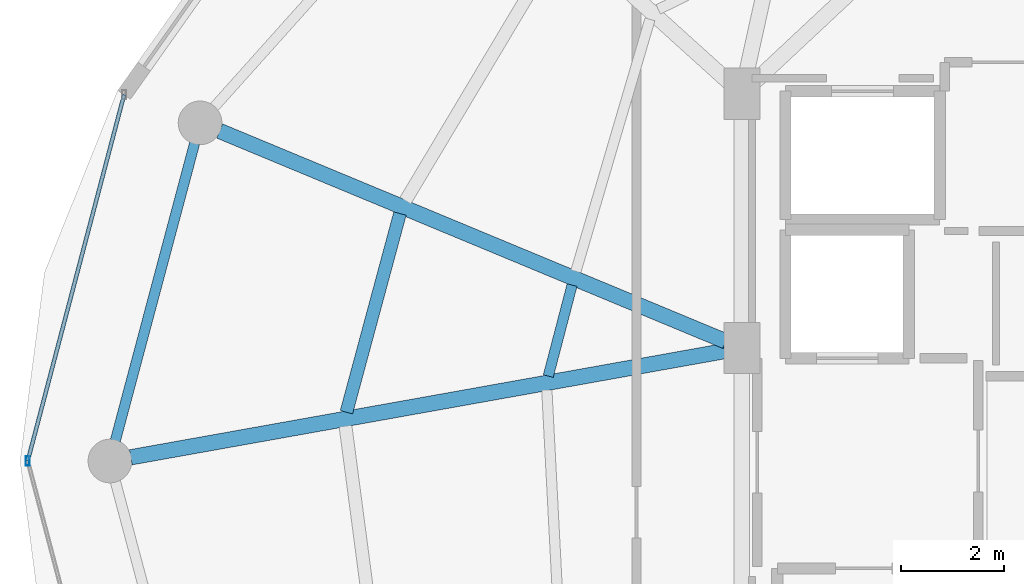
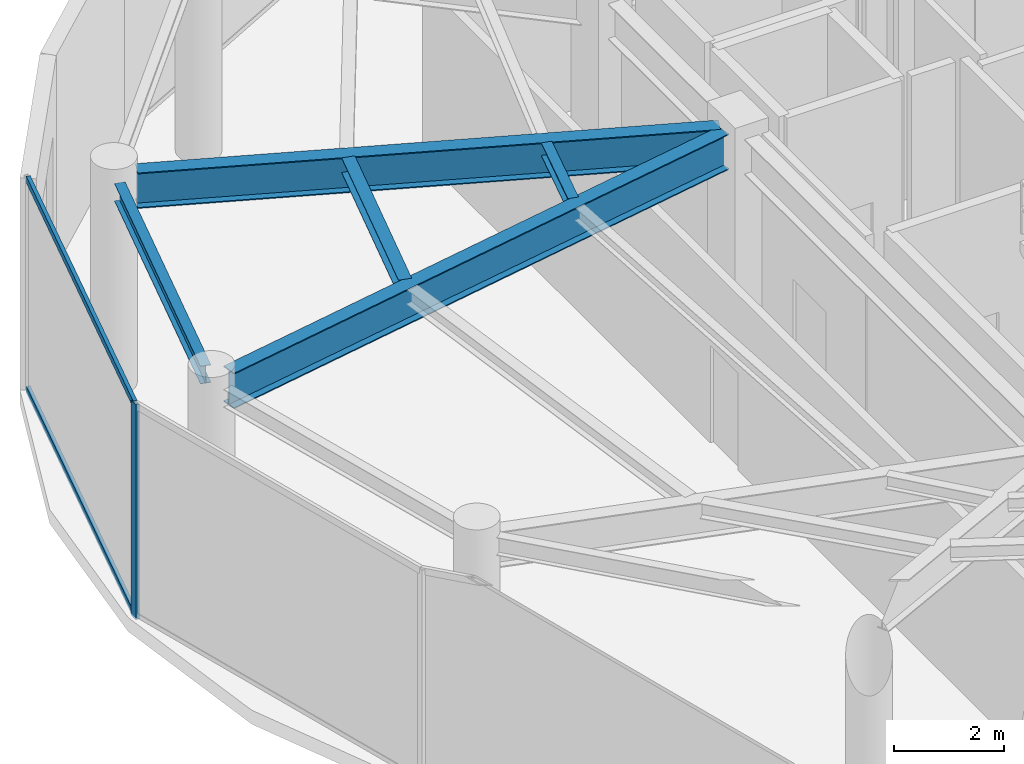
# One storey, part 7 of 24: 5 beams, 3 members, 1 element without a shape of its own.
"""IFC4 building model written with IfcOpenShell, lengths in metres."""

from ifc_helpers import new_model, si_unit, direction, frame, origin, origin_2d, place, context, subcontext, project, spatial, hollow_rectangle, i_section, extrude, material, material_profile, profile_set, type_object, element, aggregate, save


model = new_model("IFC4")

# Units and contexts
model_context = context("Model", 3, precision=1e-05, world=origin(), true_north=direction((0.0, 1.0)))
body_context = subcontext(model_context, "Body", "Model", "MODEL_VIEW")
ifc_project = project(units=[si_unit("LENGTHUNIT", "METRE"), si_unit("AREAUNIT", "SQUARE_METRE"), si_unit("VOLUMEUNIT", "CUBIC_METRE"), si_unit("PLANEANGLEUNIT", "RADIAN"), si_unit("MASSUNIT", "GRAM", prefix="KILO")], contexts=[model_context])

# Site, building, storey
site_placement = place(None, origin())
site = spatial("IfcSite", under=ifc_project, at=site_placement, CompositionType="ELEMENT")
building_placement = place(site_placement, origin())
building = spatial("IfcBuilding", under=site, at=building_placement, Name="Vorneva Point Tower", CompositionType="ELEMENT")
storey_placement = place(building_placement, frame((0.0, 0.0, 285.39990234375)))
storey = spatial("IfcBuildingStorey", under=building, at=storey_placement, Name="L77", CompositionType="ELEMENT", Elevation=285.39990234375)

# Beams
ifc_material_1 = material(Name="Steel S355", Category="steel")
ifc_material_profile_1 = material_profile(ifc_material_1, i_section(OverallWidth=0.300048828125, OverallDepth=0.7880859375, WebThickness=0.014404296875, FlangeThickness=0.02197265625, at=origin_2d()), Name="80Sh1")
ifc_profile_set_1 = profile_set([ifc_material_profile_1], Name="Steel S355")
beam_type_1 = type_object("IfcBeamType", Name="BM-GRD-80Sh1", PredefinedType="USERDEFINED", material=ifc_profile_set_1)
beam_1_placement = place(storey_placement, frame((17.0859375, 32.423583984375, 4.296142578125), z_axis=(0.923448932068, -0.383721344027, 0.0), x_axis=(0.383721344027, 0.923448932068, 0.0)))
element("IfcBeam", 1, at=beam_1_placement, inside=storey, type_object=beam_type_1, Name="L77 Radial Primary Girder 08", ObjectType="GIRDER", PredefinedType="USERDEFINED", context=body_context, shape_type="SweptSolid", body=[
    extrude(i_section(OverallWidth=0.300048828125, OverallDepth=0.7880859375, WebThickness=0.014404296875, FlangeThickness=0.02197265625, at=origin_2d()), origin(), (0.0, 0.0, 1.0), 10.666748046875),
])
beam_2_placement = place(storey_placement, frame((15.3564453125, 26.07275390625, 4.296142578125), z_axis=(0.9843788355, 0.17606336422, 0.0), x_axis=(-0.17606336422, 0.9843788355, 0.0)))
element("IfcBeam", 2, at=beam_2_placement, inside=storey, type_object=beam_type_1, Name="L77 Radial Primary Girder 09", ObjectType="GIRDER", PredefinedType="USERDEFINED", context=body_context, shape_type="SweptSolid", body=[
    extrude(i_section(OverallWidth=0.300048828125, OverallDepth=0.7880859375, WebThickness=0.014404296875, FlangeThickness=0.02197265625, at=origin_2d()), origin(), (0.0, 0.0, 1.0), 11.7421875),
])
ifc_material_profile_2 = material_profile(ifc_material_1, i_section(OverallWidth=0.199951171875, OverallDepth=0.291015625, WebThickness=0.008056640625, FlangeThickness=0.010986328125, at=origin_2d()), Name="30Sh1")
ifc_profile_set_2 = profile_set([ifc_material_profile_2], Name="Steel S355")
beam_type_2 = type_object("IfcBeamType", Name="BM-SEC-30Sh1", PredefinedType="BEAM", material=ifc_profile_set_2)
beam_3_placement = place(storey_placement, frame((23.946044921875, 29.425048828125, 4.544677734375), z_axis=(-0.253029664065, -0.967458520611, 0.0), x_axis=(0.967458520611, -0.253029664065, 0.0)))
element("IfcBeam", 3, at=beam_3_placement, inside=storey, type_object=beam_type_2, Name="L77 Secondary Floor Beam 2.08", PredefinedType="BEAM", context=body_context, shape_type="SweptSolid", body=[
    extrude(i_section(OverallWidth=0.199951171875, OverallDepth=0.291015625, WebThickness=0.008056640625, FlangeThickness=0.010986328125, at=origin_2d()), origin(), (0.0, 0.0, 1.0), 1.831298828125),
])
ifc_material_profile_3 = material_profile(ifc_material_1, i_section(OverallWidth=0.2490234375, OverallDepth=0.333984375, WebThickness=0.008056640625, FlangeThickness=0.010986328125, at=origin_2d()), Name="35Sh1")
ifc_profile_set_3 = profile_set([ifc_material_profile_3], Name="Steel S355")
beam_type_3 = type_object("IfcBeamType", Name="BM-SEC-35Sh1", PredefinedType="BEAM", material=ifc_profile_set_3)
beam_4_placement = place(storey_placement, frame((20.59619140625, 30.81689453125, 4.523193359375), z_axis=(-0.260310139159, -0.965525054802, 0.0), x_axis=(0.965525054802, -0.260310139159, 0.0)))
element("IfcBeam", 4, at=beam_4_placement, inside=storey, type_object=beam_type_3, Name="L77 Secondary Floor Beam 1.08", PredefinedType="BEAM", context=body_context, shape_type="SweptSolid", body=[
    extrude(i_section(OverallWidth=0.2490234375, OverallDepth=0.333984375, WebThickness=0.008056640625, FlangeThickness=0.010986328125, at=origin_2d()), origin(), (0.0, 0.0, 1.0), 4.0048828125),
])
ifc_material_profile_4 = material_profile(ifc_material_1, i_section(OverallWidth=0.198974609375, OverallDepth=0.39599609375, WebThickness=0.007080078125, FlangeThickness=0.010986328125, at=origin_2d()), Name="40B1")
ifc_profile_set_4 = profile_set([ifc_material_profile_4], Name="Steel S355")
beam_type_4 = type_object("IfcBeamType", Name="BM-SPN-40B1", PredefinedType="SPANDREL", material=ifc_profile_set_4)
beam_5_placement = place(storey_placement, frame((16.59912109375, 32.18603515625, 4.4921875), z_axis=(-0.257586570866, -0.966255224312, 0.0), x_axis=(0.966255224312, -0.257586570866, 0.0)))
element("IfcBeam", 5, at=beam_5_placement, inside=storey, type_object=beam_type_4, Name="L77 Perimeter Spandrel Ring Beam 08", PredefinedType="SPANDREL", context=body_context, shape_type="SweptSolid", body=[
    extrude(i_section(OverallWidth=0.198974609375, OverallDepth=0.39599609375, WebThickness=0.007080078125, FlangeThickness=0.010986328125, at=origin_2d()), origin(), (0.0, 0.0, 1.0), 5.991943359375),
])

# Curtain wall, members
ifc_material_2 = material(Name="Pale anodised aluminium", Category="aluminium")
curtain_wall_type = type_object("IfcCurtainWallType", Name="CW-OBS-SYS", PredefinedType="NOTDEFINED", material=ifc_material_2)
curtain_wall_placement = place(storey_placement, origin())
curtain_wall = element("IfcCurtainWall", 6, at=curtain_wall_placement, inside=storey, type_object=curtain_wall_type, Name="L77 Unitised Curtain Wall CW-L77-R03", PredefinedType="NOTDEFINED")
ifc_material_profile_5 = material_profile(ifc_material_2, hollow_rectangle(XDim=0.074951171875, YDim=0.179931640625, WallThickness=0.00390625, at=origin_2d()), Name="AL-MUL 180x75x4")
ifc_profile_set_5 = profile_set([ifc_material_profile_5], Name="Pale anodised aluminium")
member_type_1 = type_object("IfcMemberType", Name="CW-MUL-180", PredefinedType="MULLION", material=ifc_profile_set_5)
member_1_placement = place(storey_placement, frame((13.35009765625, 26.0, -0.039794921875), z_axis=(0.0, 0.0, 1.0), x_axis=(1.0, 0.0, 0.0)))
member_1 = element("IfcMember", 7, at=member_1_placement, type_object=member_type_1, Name="CW-L77-R03 Mullion 02", PredefinedType="MULLION", context=body_context, shape_type="SweptSolid", body=[
    extrude(hollow_rectangle(XDim=0.074951171875, YDim=0.179931640625, WallThickness=0.00390625, at=origin_2d()), origin(), (0.0, 0.0, 1.0), 4.760009765625),
])
ifc_material_profile_6 = material_profile(ifc_material_2, hollow_rectangle(XDim=0.074951171875, YDim=0.14990234375, WallThickness=0.00390625, at=origin_2d()), Name="AL-TRN 150x75x4")
ifc_profile_set_6 = profile_set([ifc_material_profile_6], Name="Pale anodised aluminium")
member_type_2 = type_object("IfcMemberType", Name="CW-TRN-150", PredefinedType="USERDEFINED", material=ifc_profile_set_6)
member_2_placement = place(storey_placement, frame((15.226318359375, 33.12939453125, 0.02001953125), z_axis=(-0.254501449741, -0.967072392368, 0.0), x_axis=(0.967072392368, -0.254501449741, 0.0)))
member_2 = element("IfcMember", 8, at=member_2_placement, type_object=member_type_2, Name="CW-L77-R03 Transom 01.1", ObjectType="TRANSOM", PredefinedType="USERDEFINED", context=body_context, shape_type="SweptSolid", body=[
    extrude(hollow_rectangle(XDim=0.074951171875, YDim=0.14990234375, WallThickness=0.00390625, at=origin_2d()), origin(), (0.0, 0.0, 1.0), 7.3720703125),
])
member_3_placement = place(storey_placement, frame((15.226318359375, 33.12939453125, 4.670166015625), z_axis=(-0.254501449741, -0.967072392368, 0.0), x_axis=(0.967072392368, -0.254501449741, 0.0)))
member_3 = element("IfcMember", 9, at=member_3_placement, type_object=member_type_2, Name="CW-L77-R03 Transom 01.2", ObjectType="TRANSOM", PredefinedType="USERDEFINED", context=body_context, shape_type="SweptSolid", body=[
    extrude(hollow_rectangle(XDim=0.074951171875, YDim=0.14990234375, WallThickness=0.00390625, at=origin_2d()), origin(), (0.0, 0.0, 1.0), 7.3720703125),
])
aggregate(curtain_wall, [member_1, member_2, member_3])

save(model, "model.ifc")
